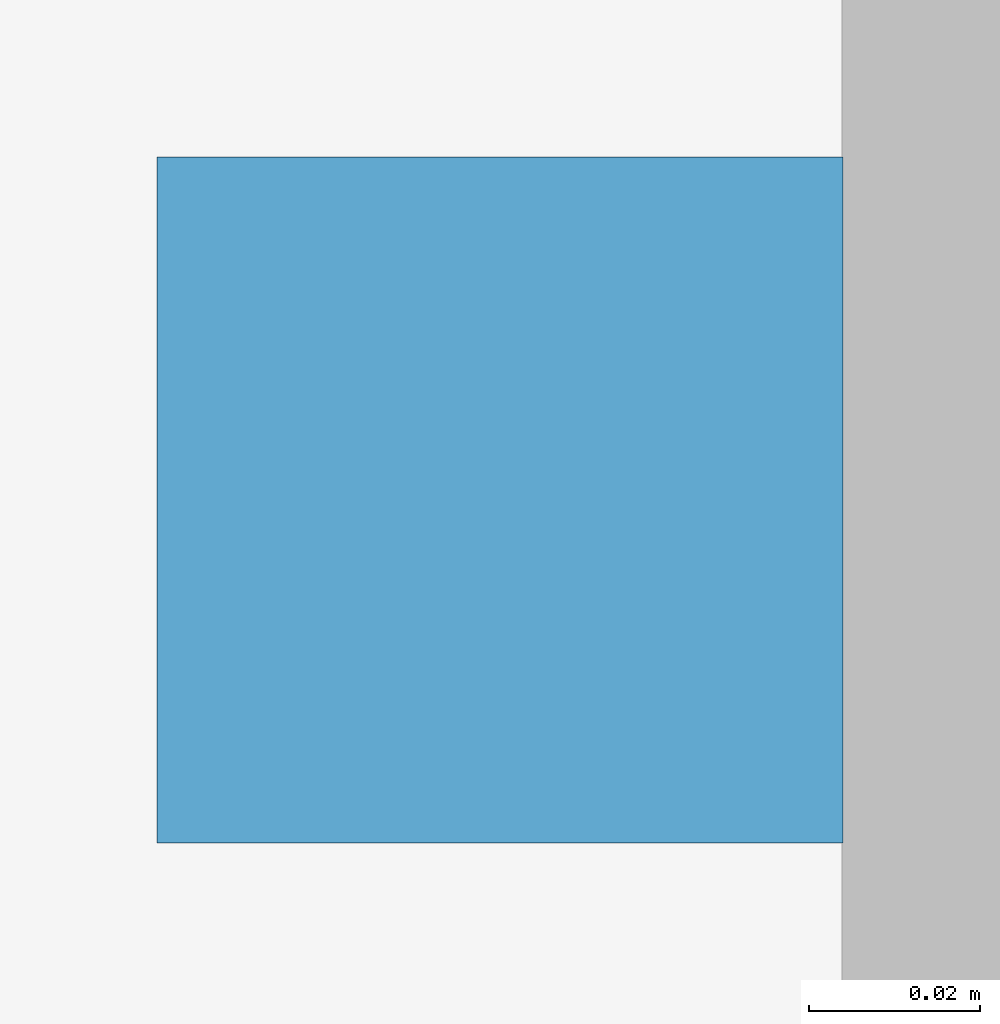
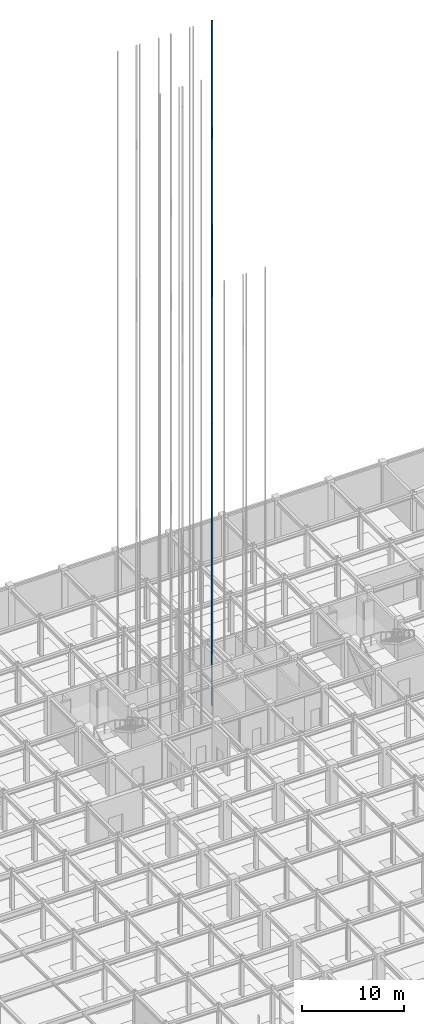
# One storey, part 63 of 69: 1 discrete accessory.
"""IFC4 building model written with IfcOpenShell, lengths in metres."""

from ifc_helpers import new_model, si_unit, direction, frame, origin, origin_2d, place, context, subcontext, project, spatial, rectangle, extrude, material, type_object, element, save


model = new_model("IFC4")

# Units and contexts
model_context = context("Model", 3, precision=1e-05, world=origin(), true_north=direction((0.0, 1.0)))
body_context = subcontext(model_context, "Body", "Model", "MODEL_VIEW")
ifc_project = project(units=[si_unit("LENGTHUNIT", "METRE"), si_unit("AREAUNIT", "SQUARE_METRE"), si_unit("VOLUMEUNIT", "CUBIC_METRE"), si_unit("PLANEANGLEUNIT", "RADIAN"), si_unit("MASSUNIT", "GRAM", prefix="KILO")], contexts=[model_context])

# Site, building, storey
site_placement = place(None, origin())
site = spatial("IfcSite", under=ifc_project, at=site_placement, CompositionType="ELEMENT")
building_placement = place(site_placement, origin())
building = spatial("IfcBuilding", under=site, at=building_placement, Name="Zlatovratsky Civic Hall", CompositionType="ELEMENT")
storey_placement = place(building_placement, frame((0.0, 0.0, -4.800048828125)))
storey = spatial("IfcBuildingStorey", under=building, at=storey_placement, Name="B1", CompositionType="ELEMENT", Elevation=-4.800048828125)

# Discrete accessory
ifc_material = material(Name="Steel S355", Category="steel")
discrete_accessory_type = type_object("IfcDiscreteAccessoryType", Name="Lift_GuideRail", PredefinedType="USERDEFINED", material=ifc_material)
discrete_accessory_placement = place(storey_placement, frame((83.31005859375, 94.14990234375, -1.60009765625), z_axis=(0.0, 0.0, 1.0), x_axis=(1.0, 0.0, 0.0)))
element("IfcDiscreteAccessory", 1, at=discrete_accessory_placement, inside=storey, type_object=discrete_accessory_type, Name="Lift Guide Rail LP-04 R", ObjectType="GUIDE RAIL", PredefinedType="USERDEFINED", context=body_context, shape_type="SweptSolid", body=[
    extrude(rectangle(XDim=0.080078125, YDim=0.080078125, at=origin_2d()), origin(), (0.0, 0.0, 1.0), 81.60009765625),
])

save(model, "model.ifc")
